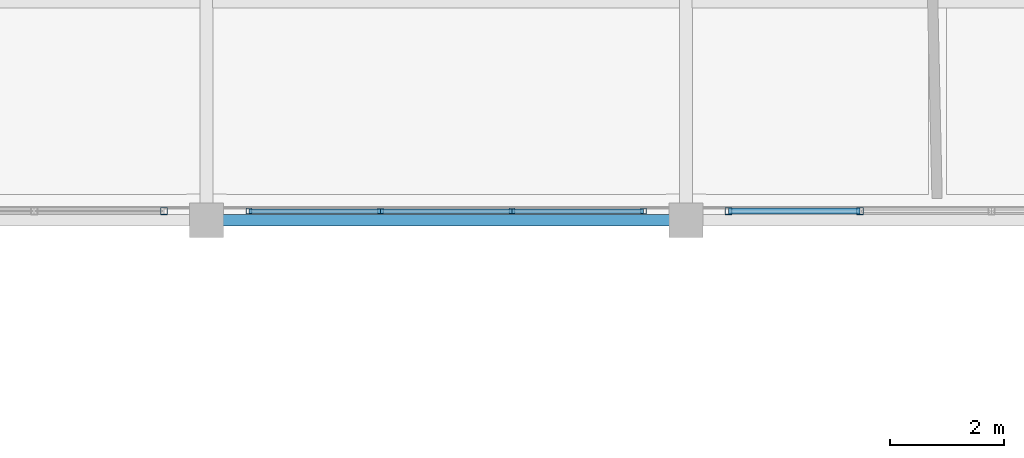
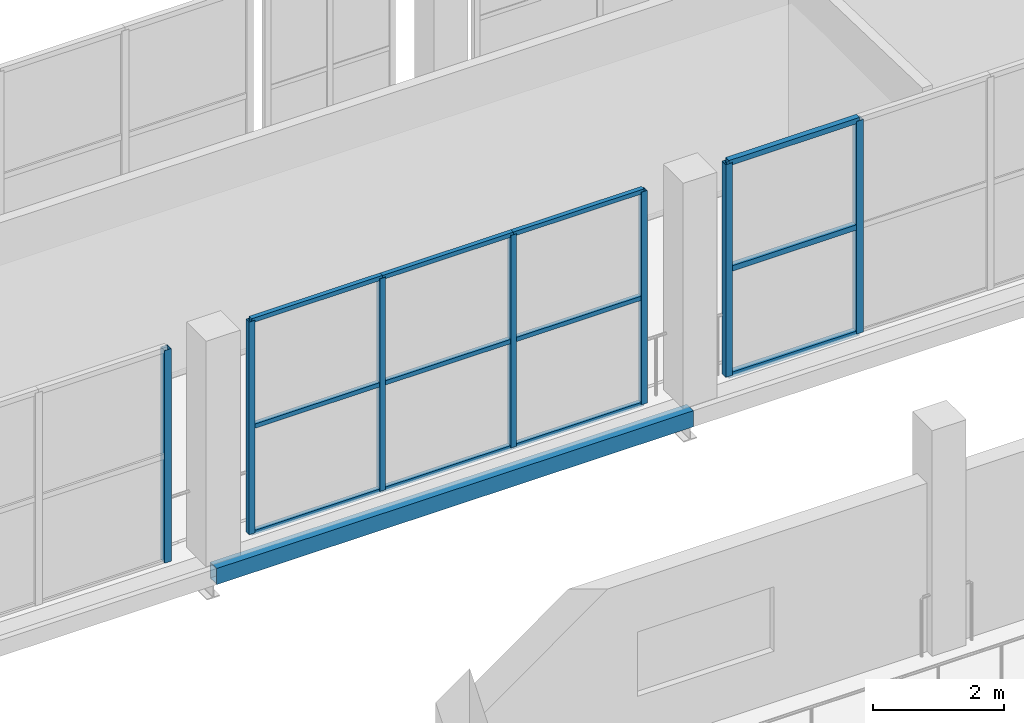
# One storey, part 36 of 151: 19 members, 1 beam, 3 elements without a shape of their own.
"""IFC4 building model written with IfcOpenShell, lengths in metres."""

from ifc_helpers import new_model, si_unit, direction, frame, origin, origin_2d, place, context, subcontext, project, spatial, hollow_rectangle, extrude, material, material_profile, profile_set, type_object, element, aggregate, save


model = new_model("IFC4")

# Units and contexts
model_context = context("Model", 3, precision=1e-05, world=origin(), true_north=direction((0.0, 1.0)))
body_context = subcontext(model_context, "Body", "Model", "MODEL_VIEW")
ifc_project = project(units=[si_unit("LENGTHUNIT", "METRE"), si_unit("AREAUNIT", "SQUARE_METRE"), si_unit("VOLUMEUNIT", "CUBIC_METRE"), si_unit("PLANEANGLEUNIT", "RADIAN"), si_unit("MASSUNIT", "GRAM", prefix="KILO")], contexts=[model_context])

# Site, building, storey
site_placement = place(None, origin())
site = spatial("IfcSite", under=ifc_project, at=site_placement, CompositionType="ELEMENT")
building_placement = place(site_placement, origin())
building = spatial("IfcBuilding", under=site, at=building_placement, Name="Zuvorla Pavilion Media Centre", CompositionType="ELEMENT")
storey_placement = place(building_placement, frame((0.0, 0.0, 13.800048828125)))
storey = spatial("IfcBuildingStorey", under=building, at=storey_placement, Name="L03", CompositionType="ELEMENT", Elevation=13.800048828125)

# Beam
ifc_material_1 = material(Name="Steel S355", Category="steel")
ifc_material_profile_1 = material_profile(ifc_material_1, hollow_rectangle(XDim=0.199951171875, YDim=0.300048828125, WallThickness=0.012451171875, at=origin_2d()), Name="RHS 300x200x12.5")
ifc_profile_set_1 = profile_set([ifc_material_profile_1], Name="Steel S355")
beam_type = type_object("IfcBeamType", Name="BM-SP-RHS300", PredefinedType="SPANDREL", material=ifc_profile_set_1)
beam_placement = place(storey_placement, frame((75.199951171875, 44.0, -0.407958984375), z_axis=(1.0, 0.0, 0.0), x_axis=(0.0, 1.0, 0.0)))
element("IfcBeam", 1, at=beam_placement, inside=storey, type_object=beam_type, Name="L03 spandrel SP01 1081", PredefinedType="SPANDREL", context=body_context, shape_type="SweptSolid", body=[
    extrude(hollow_rectangle(XDim=0.199951171875, YDim=0.300048828125, WallThickness=0.012451171875, at=origin_2d()), origin(), (0.0, 0.0, 1.0), 8.400146484375),
])

# Curtain wall, members
ifc_material_2 = material(Name="Unitised anodised aluminium and solar glass curtain wall", Category="aluminium")
curtain_wall_type_1 = type_object("IfcCurtainWallType", Name="CW-SYS-70", PredefinedType="USERDEFINED", material=ifc_material_2)
curtain_wall_1_placement = place(storey_placement, origin())
curtain_wall_1 = element("IfcCurtainWall", 2, at=curtain_wall_1_placement, inside=storey, type_object=curtain_wall_type_1, Name="L03 curtain wall CW70 138", ObjectType="CURTAIN WALL", PredefinedType="USERDEFINED")
ifc_material_3 = material(Name="Anodised aluminium 6063-T6", Category="aluminium")
ifc_material_profile_2 = material_profile(ifc_material_3, hollow_rectangle(XDim=0.10009765625, YDim=0.10009765625, WallThickness=0.00439453125, at=origin_2d()), Name="ALU MULL 100x100")
ifc_profile_set_2 = profile_set([ifc_material_profile_2], Name="Anodised aluminium 6063-T6")
member_type_1 = type_object("IfcMemberType", Name="CW-MULL-100", PredefinedType="MULLION", material=ifc_profile_set_2)
member_1_placement = place(storey_placement, frame((75.9443359375, 44.159912109375, 0.0), z_axis=(0.0, 0.0, 1.0), x_axis=(1.0, 0.0, 0.0)))
member_1 = element("IfcMember", 3, at=member_1_placement, type_object=member_type_1, Name="CW70 mullion 1", PredefinedType="MULLION", context=body_context, shape_type="SweptSolid", body=[
    extrude(hollow_rectangle(XDim=0.10009765625, YDim=0.10009765625, WallThickness=0.00439453125, at=origin_2d()), origin(), (0.0, 0.0, 1.0), 3.9599609375),
])
member_2_placement = place(storey_placement, frame((78.248046875, 44.159912109375, 0.0), z_axis=(0.0, 0.0, 1.0), x_axis=(1.0, 0.0, 0.0)))
member_2 = element("IfcMember", 4, at=member_2_placement, type_object=member_type_1, Name="CW70 mullion 2", PredefinedType="MULLION", context=body_context, shape_type="SweptSolid", body=[
    extrude(hollow_rectangle(XDim=0.10009765625, YDim=0.10009765625, WallThickness=0.00439453125, at=origin_2d()), origin(), (0.0, 0.0, 1.0), 3.9599609375),
])
member_3_placement = place(storey_placement, frame((80.552001953125, 44.159912109375, 0.0), z_axis=(0.0, 0.0, 1.0), x_axis=(1.0, 0.0, 0.0)))
member_3 = element("IfcMember", 5, at=member_3_placement, type_object=member_type_1, Name="CW70 mullion 3", PredefinedType="MULLION", context=body_context, shape_type="SweptSolid", body=[
    extrude(hollow_rectangle(XDim=0.10009765625, YDim=0.10009765625, WallThickness=0.00439453125, at=origin_2d()), origin(), (0.0, 0.0, 1.0), 3.9599609375),
])
member_4_placement = place(storey_placement, frame((82.855712890625, 44.159912109375, 0.0), z_axis=(0.0, 0.0, 1.0), x_axis=(1.0, 0.0, 0.0)))
member_4 = element("IfcMember", 6, at=member_4_placement, type_object=member_type_1, Name="CW70 mullion 4", PredefinedType="MULLION", context=body_context, shape_type="SweptSolid", body=[
    extrude(hollow_rectangle(XDim=0.10009765625, YDim=0.10009765625, WallThickness=0.00439453125, at=origin_2d()), origin(), (0.0, 0.0, 1.0), 3.9599609375),
])

# Curtain wall, member
curtain_wall_type_2 = type_object("IfcCurtainWallType", Name="CW-SYS-69", PredefinedType="USERDEFINED", material=ifc_material_2)
curtain_wall_2_placement = place(storey_placement, origin())
curtain_wall_2 = element("IfcCurtainWall", 7, at=curtain_wall_2_placement, inside=storey, type_object=curtain_wall_type_2, Name="L03 curtain wall CW69 137", ObjectType="CURTAIN WALL", PredefinedType="USERDEFINED")
ifc_material_profile_3 = material_profile(ifc_material_3, hollow_rectangle(XDim=0.1201171875, YDim=0.1201171875, WallThickness=0.0048828125, at=origin_2d()), Name="ALU MULL 120x120")
ifc_profile_set_3 = profile_set([ifc_material_profile_3], Name="Anodised aluminium 6063-T6")
member_type_2 = type_object("IfcMemberType", Name="CW-MULL-120", PredefinedType="MULLION", material=ifc_profile_set_3)
member_5_placement = place(storey_placement, frame((74.455810546875, 44.159912109375, 0.0), z_axis=(0.0, 0.0, 1.0), x_axis=(1.0, 0.0, 0.0)))
member_5 = element("IfcMember", 8, at=member_5_placement, type_object=member_type_2, Name="CW69 mullion 4", PredefinedType="MULLION", context=body_context, shape_type="SweptSolid", body=[
    extrude(hollow_rectangle(XDim=0.1201171875, YDim=0.1201171875, WallThickness=0.0048828125, at=origin_2d()), origin(), (0.0, 0.0, 1.0), 3.9599609375),
])
aggregate(curtain_wall_2, [member_5])

# Curtain wall, members
curtain_wall_type_3 = type_object("IfcCurtainWallType", Name="CW-SYS-71", PredefinedType="USERDEFINED", material=ifc_material_2)
curtain_wall_3_placement = place(storey_placement, origin())
curtain_wall_3 = element("IfcCurtainWall", 9, at=curtain_wall_3_placement, inside=storey, type_object=curtain_wall_type_3, Name="L03 curtain wall CW71 139", ObjectType="CURTAIN WALL", PredefinedType="USERDEFINED")
member_6_placement = place(storey_placement, frame((84.34423828125, 44.159912109375, 0.0), z_axis=(0.0, 0.0, 1.0), x_axis=(1.0, 0.0, 0.0)))
member_6 = element("IfcMember", 10, at=member_6_placement, type_object=member_type_2, Name="CW71 mullion 1", PredefinedType="MULLION", context=body_context, shape_type="SweptSolid", body=[
    extrude(hollow_rectangle(XDim=0.1201171875, YDim=0.1201171875, WallThickness=0.0048828125, at=origin_2d()), origin(), (0.0, 0.0, 1.0), 3.9599609375),
])
member_7_placement = place(storey_placement, frame((86.648193359375, 44.159912109375, 0.0), z_axis=(0.0, 0.0, 1.0), x_axis=(1.0, 0.0, 0.0)))
member_7 = element("IfcMember", 11, at=member_7_placement, type_object=member_type_2, Name="CW71 mullion 2", PredefinedType="MULLION", context=body_context, shape_type="SweptSolid", body=[
    extrude(hollow_rectangle(XDim=0.1201171875, YDim=0.1201171875, WallThickness=0.0048828125, at=origin_2d()), origin(), (0.0, 0.0, 1.0), 3.9599609375),
])
ifc_material_profile_4 = material_profile(ifc_material_3, hollow_rectangle(XDim=0.10009765625, YDim=0.10009765625, WallThickness=0.00439453125, at=origin_2d()), Name="ALU TRAN 100x100")
ifc_profile_set_4 = profile_set([ifc_material_profile_4], Name="Anodised aluminium 6063-T6")
member_type_3 = type_object("IfcMemberType", Name="CW-TRAN-100", PredefinedType="USERDEFINED", material=ifc_profile_set_4)
member_8_placement = place(storey_placement, frame((84.34423828125, 44.159912109375, 0.0), z_axis=(1.0, 0.0, 0.0), x_axis=(0.0, 1.0, 0.0)))
member_8 = element("IfcMember", 12, at=member_8_placement, type_object=member_type_3, Name="CW71 transom 1.1", ObjectType="TRANSOM", PredefinedType="USERDEFINED", context=body_context, shape_type="SweptSolid", body=[
    extrude(hollow_rectangle(XDim=0.10009765625, YDim=0.10009765625, WallThickness=0.00439453125, at=origin_2d()), origin(), (0.0, 0.0, 1.0), 2.303955078125),
])
member_9_placement = place(storey_placement, frame((84.34423828125, 44.159912109375, 1.97998046875), z_axis=(1.0, 0.0, 0.0), x_axis=(0.0, 1.0, 0.0)))
member_9 = element("IfcMember", 13, at=member_9_placement, type_object=member_type_3, Name="CW71 transom 1.2", ObjectType="TRANSOM", PredefinedType="USERDEFINED", context=body_context, shape_type="SweptSolid", body=[
    extrude(hollow_rectangle(XDim=0.10009765625, YDim=0.10009765625, WallThickness=0.00439453125, at=origin_2d()), origin(), (0.0, 0.0, 1.0), 2.303955078125),
])
member_10_placement = place(storey_placement, frame((84.34423828125, 44.159912109375, 3.9599609375), z_axis=(1.0, 0.0, 0.0), x_axis=(0.0, 1.0, 0.0)))
member_10 = element("IfcMember", 14, at=member_10_placement, type_object=member_type_3, Name="CW71 transom 1.3", ObjectType="TRANSOM", PredefinedType="USERDEFINED", context=body_context, shape_type="SweptSolid", body=[
    extrude(hollow_rectangle(XDim=0.10009765625, YDim=0.10009765625, WallThickness=0.00439453125, at=origin_2d()), origin(), (0.0, 0.0, 1.0), 2.303955078125),
])
aggregate(curtain_wall_3, [member_6, member_7, member_8, member_9, member_10])

# Member
ifc_material_profile_5 = material_profile(ifc_material_3, hollow_rectangle(XDim=0.080078125, YDim=0.080078125, WallThickness=0.00390625, at=origin_2d()), Name="ALU TRAN 80x80")
ifc_profile_set_5 = profile_set([ifc_material_profile_5], Name="Anodised aluminium 6063-T6")
member_type_4 = type_object("IfcMemberType", Name="CW-TRAN-80", PredefinedType="USERDEFINED", material=ifc_profile_set_5)
member_11_placement = place(storey_placement, frame((75.9443359375, 44.159912109375, 0.0), z_axis=(1.0, 0.0, 0.0), x_axis=(0.0, 1.0, 0.0)))
member_11 = element("IfcMember", 15, at=member_11_placement, type_object=member_type_4, Name="CW70 transom 1.1", ObjectType="TRANSOM", PredefinedType="USERDEFINED", context=body_context, shape_type="SweptSolid", body=[
    extrude(hollow_rectangle(XDim=0.080078125, YDim=0.080078125, WallThickness=0.00390625, at=origin_2d()), origin(), (0.0, 0.0, 1.0), 2.3037109375),
])

member_12_placement = place(storey_placement, frame((75.9443359375, 44.159912109375, 1.97998046875), z_axis=(1.0, 0.0, 0.0), x_axis=(0.0, 1.0, 0.0)))
member_12 = element("IfcMember", 16, at=member_12_placement, type_object=member_type_4, Name="CW70 transom 1.2", ObjectType="TRANSOM", PredefinedType="USERDEFINED", context=body_context, shape_type="SweptSolid", body=[
    extrude(hollow_rectangle(XDim=0.080078125, YDim=0.080078125, WallThickness=0.00390625, at=origin_2d()), origin(), (0.0, 0.0, 1.0), 2.3037109375),
])

member_13_placement = place(storey_placement, frame((75.9443359375, 44.159912109375, 3.9599609375), z_axis=(1.0, 0.0, 0.0), x_axis=(0.0, 1.0, 0.0)))
member_13 = element("IfcMember", 17, at=member_13_placement, type_object=member_type_4, Name="CW70 transom 1.3", ObjectType="TRANSOM", PredefinedType="USERDEFINED", context=body_context, shape_type="SweptSolid", body=[
    extrude(hollow_rectangle(XDim=0.080078125, YDim=0.080078125, WallThickness=0.00390625, at=origin_2d()), origin(), (0.0, 0.0, 1.0), 2.3037109375),
])

member_14_placement = place(storey_placement, frame((78.248046875, 44.159912109375, 0.0), z_axis=(1.0, 0.0, 0.0), x_axis=(0.0, 1.0, 0.0)))
member_14 = element("IfcMember", 18, at=member_14_placement, type_object=member_type_4, Name="CW70 transom 2.1", ObjectType="TRANSOM", PredefinedType="USERDEFINED", context=body_context, shape_type="SweptSolid", body=[
    extrude(hollow_rectangle(XDim=0.080078125, YDim=0.080078125, WallThickness=0.00390625, at=origin_2d()), origin(), (0.0, 0.0, 1.0), 2.303955078125),
])

member_15_placement = place(storey_placement, frame((78.248046875, 44.159912109375, 1.97998046875), z_axis=(1.0, 0.0, 0.0), x_axis=(0.0, 1.0, 0.0)))
member_15 = element("IfcMember", 19, at=member_15_placement, type_object=member_type_4, Name="CW70 transom 2.2", ObjectType="TRANSOM", PredefinedType="USERDEFINED", context=body_context, shape_type="SweptSolid", body=[
    extrude(hollow_rectangle(XDim=0.080078125, YDim=0.080078125, WallThickness=0.00390625, at=origin_2d()), origin(), (0.0, 0.0, 1.0), 2.303955078125),
])

member_16_placement = place(storey_placement, frame((78.248046875, 44.159912109375, 3.9599609375), z_axis=(1.0, 0.0, 0.0), x_axis=(0.0, 1.0, 0.0)))
member_16 = element("IfcMember", 20, at=member_16_placement, type_object=member_type_4, Name="CW70 transom 2.3", ObjectType="TRANSOM", PredefinedType="USERDEFINED", context=body_context, shape_type="SweptSolid", body=[
    extrude(hollow_rectangle(XDim=0.080078125, YDim=0.080078125, WallThickness=0.00390625, at=origin_2d()), origin(), (0.0, 0.0, 1.0), 2.303955078125),
])

member_17_placement = place(storey_placement, frame((80.552001953125, 44.159912109375, 0.0), z_axis=(1.0, 0.0, 0.0), x_axis=(0.0, 1.0, 0.0)))
member_17 = element("IfcMember", 21, at=member_17_placement, type_object=member_type_4, Name="CW70 transom 3.1", ObjectType="TRANSOM", PredefinedType="USERDEFINED", context=body_context, shape_type="SweptSolid", body=[
    extrude(hollow_rectangle(XDim=0.080078125, YDim=0.080078125, WallThickness=0.00390625, at=origin_2d()), origin(), (0.0, 0.0, 1.0), 2.3037109375),
])

member_18_placement = place(storey_placement, frame((80.552001953125, 44.159912109375, 1.97998046875), z_axis=(1.0, 0.0, 0.0), x_axis=(0.0, 1.0, 0.0)))
member_18 = element("IfcMember", 22, at=member_18_placement, type_object=member_type_4, Name="CW70 transom 3.2", ObjectType="TRANSOM", PredefinedType="USERDEFINED", context=body_context, shape_type="SweptSolid", body=[
    extrude(hollow_rectangle(XDim=0.080078125, YDim=0.080078125, WallThickness=0.00390625, at=origin_2d()), origin(), (0.0, 0.0, 1.0), 2.3037109375),
])

member_19_placement = place(storey_placement, frame((80.552001953125, 44.159912109375, 3.9599609375), z_axis=(1.0, 0.0, 0.0), x_axis=(0.0, 1.0, 0.0)))
member_19 = element("IfcMember", 23, at=member_19_placement, type_object=member_type_4, Name="CW70 transom 3.3", ObjectType="TRANSOM", PredefinedType="USERDEFINED", context=body_context, shape_type="SweptSolid", body=[
    extrude(hollow_rectangle(XDim=0.080078125, YDim=0.080078125, WallThickness=0.00390625, at=origin_2d()), origin(), (0.0, 0.0, 1.0), 2.3037109375),
])

aggregate(curtain_wall_1, [member_1, member_2, member_3, member_4, member_11, member_12, member_13, member_14, member_15, member_16, member_17, member_18, member_19])

save(model, "model.ifc")
